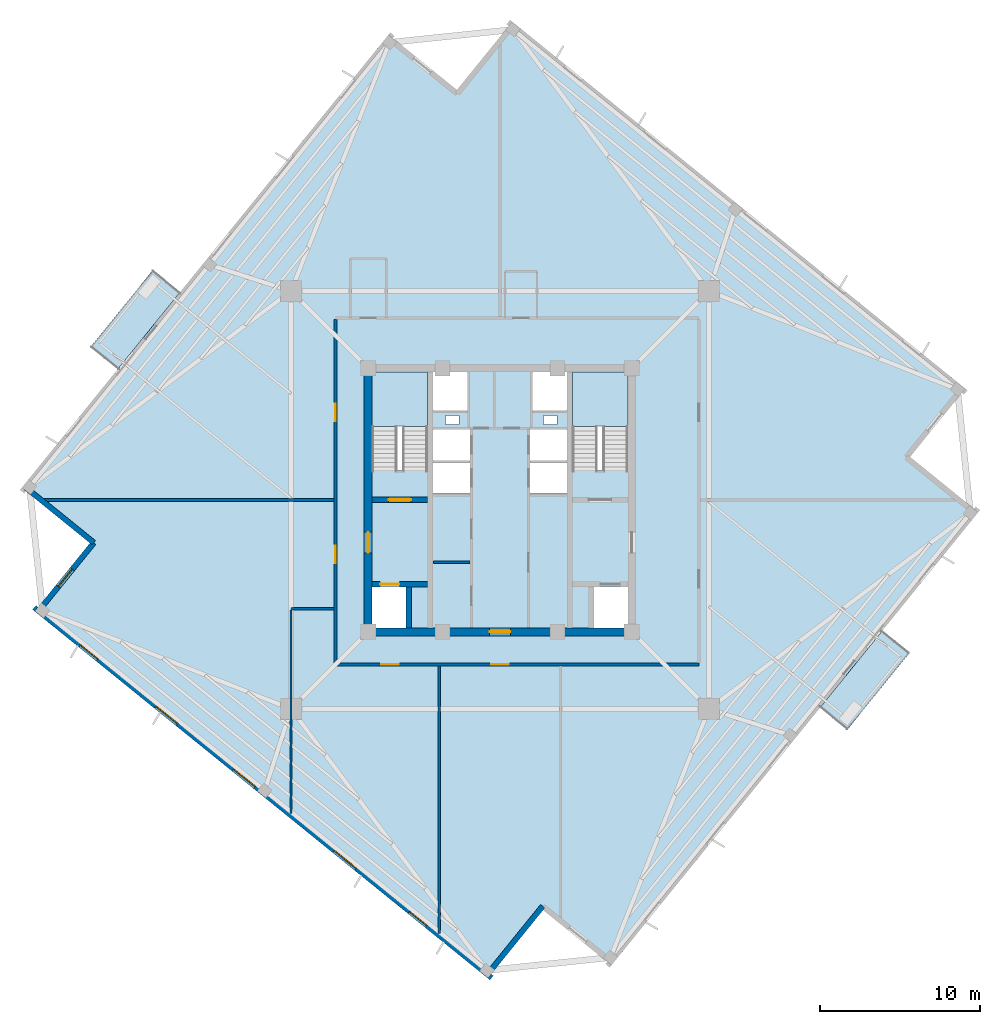
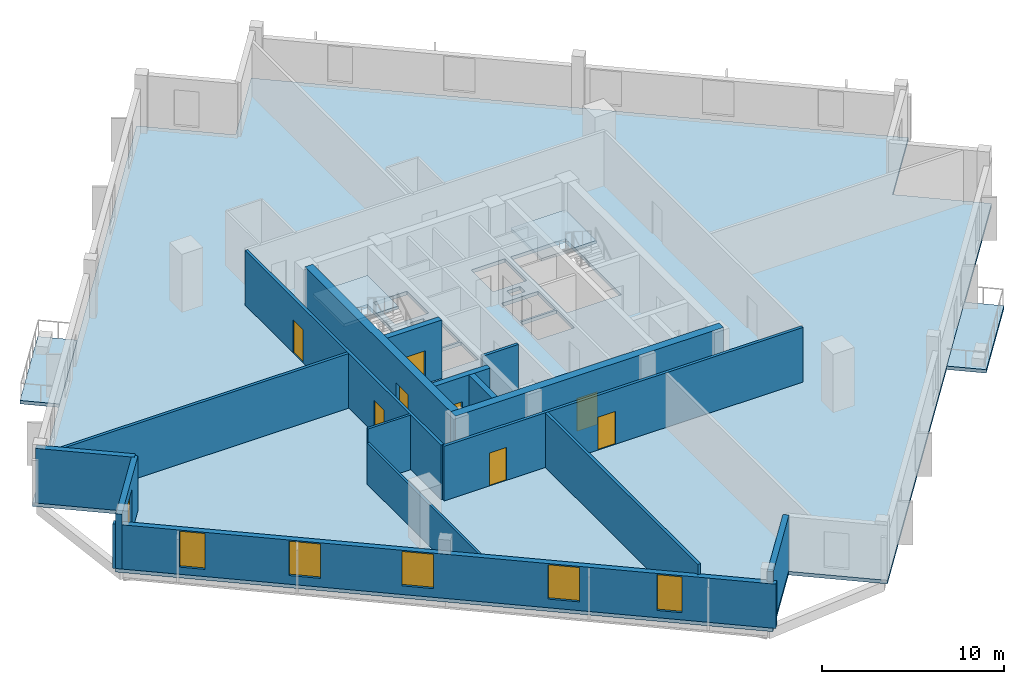
# One storey, part 2 of 9: 16 walls, 8 doors, 6 windows, 5 slabs, 14 openings, 2 elements without a shape of their own.
"""IFC4 building model written with IfcOpenShell, lengths in metres."""

from ifc_helpers import new_model, si_unit, direction, frame, frame_2d, origin, place, context, subcontext, project, spatial, polyline, rectangle, outline, extrude, source, transform, mapped, material, layer, layer_set, type_object, element, fill, aggregate, save


model = new_model("IFC4")

# Units and contexts
model_context = context("Model", 3, precision=1e-05, world=origin(), true_north=direction((0.0, 1.0)))
body_context = subcontext(model_context, "Body", "Model", "MODEL_VIEW")
ifc_project = project(units=[si_unit("LENGTHUNIT", "METRE"), si_unit("AREAUNIT", "SQUARE_METRE"), si_unit("VOLUMEUNIT", "CUBIC_METRE"), si_unit("PLANEANGLEUNIT", "RADIAN"), si_unit("MASSUNIT", "GRAM", prefix="KILO"), si_unit("THERMODYNAMICTEMPERATUREUNIT", "KELVIN")], contexts=[model_context])

# Site, building, storey
site_placement = place(None, origin())
site = spatial("IfcSite", under=ifc_project, at=site_placement, CompositionType="ELEMENT")
building_placement = place(site_placement, origin())
building = spatial("IfcBuilding", under=site, at=building_placement, Name="Kosmvard Interchange Tower", CompositionType="ELEMENT")
storey_placement = place(building_placement, frame((0.0, 0.0, 244.60009765625)))
storey = spatial("IfcBuildingStorey", under=building, at=storey_placement, Name="L59", CompositionType="ELEMENT", Elevation=244.60009765625)

# Slab
ifc_material_1 = material(Name="Concrete C50/60", Category="concrete")
ifc_layer_1 = layer(ifc_material_1, 0.239990234375, Name="Concrete C50/60")
ifc_layer_set_1 = layer_set([ifc_layer_1], Name="Concrete C50/60")
slab_type_1 = type_object("IfcSlabType", Name="High-Rise Suite Composite Slab 240 C50/60", PredefinedType="FLOOR", material=ifc_layer_set_1)
slab_1_placement = place(storey_placement, frame((0.0, 0.0, -0.239990234375)))
element("IfcSlab", 1, at=slab_1_placement, inside=storey, type_object=slab_type_1, Name="L59 Structural Floor Slab", PredefinedType="FLOOR", context=body_context, shape_type="SweptSolid", body=[
    extrude(outline(polyline([(6.97216796875, -29.12939453125), (29.9423828125, -0.763427734375), (25.66796875, 2.69775390625), (29.12939453125, 6.97216796875), (0.763427734375, 29.9423828125), (-2.69775390625, 25.66796875), (-6.97216796875, 29.12939453125), (-29.9423828125, 0.763427734375), (-25.66796875, -2.69775390625), (-29.12939453125, -6.97216796875), (-0.763427734375, -29.9423828125), (2.69775390625, -25.66796875), (6.97216796875, -29.12939453125)]), holes=[polyline([(-8.0, 1.8349609375), (-4.5400390625, 1.8349609375), (-4.5400390625, 8.0), (-8.0, 8.0), (-8.0, 1.8349609375)]), polyline([(4.5400390625, 1.8349609375), (8.0, 1.8349609375), (8.0, 8.0), (4.5400390625, 8.0), (4.5400390625, 1.8349609375)]), polyline([(-8.0, -8.0), (-5.800048828125, -8.0), (-5.800048828125, -5.39990234375), (-8.0, -5.39990234375), (-8.0, -8.0)]), polyline([(5.800048828125, -8.0), (8.0, -8.0), (8.0, -5.39990234375), (5.800048828125, -5.39990234375), (5.800048828125, -8.0)]), polyline([(-4.179931640625, 0.39990234375), (-1.8798828125, 0.39990234375), (-1.8798828125, 2.340087890625), (-4.179931640625, 2.340087890625), (-4.179931640625, 0.39990234375)]), polyline([(-4.179931640625, 2.4599609375), (-1.8798828125, 2.4599609375), (-1.8798828125, 4.39990234375), (-4.179931640625, 4.39990234375), (-4.179931640625, 2.4599609375)]), polyline([(1.8798828125, 0.39990234375), (4.179931640625, 0.39990234375), (4.179931640625, 2.340087890625), (1.8798828125, 2.340087890625), (1.8798828125, 0.39990234375)]), polyline([(1.8798828125, 2.4599609375), (4.179931640625, 2.4599609375), (4.179931640625, 4.39990234375), (1.8798828125, 4.39990234375), (1.8798828125, 2.4599609375)]), polyline([(-4.179931640625, 5.60009765625), (-2.0400390625, 5.60009765625), (-2.0400390625, 8.0), (-4.179931640625, 8.0), (-4.179931640625, 5.60009765625)]), polyline([(2.0400390625, 5.60009765625), (4.179931640625, 5.60009765625), (4.179931640625, 8.0), (2.0400390625, 8.0), (2.0400390625, 5.60009765625)]), polyline([(-3.4150390625, 4.739990234375), (-2.56494140625, 4.739990234375), (-2.56494140625, 5.2900390625), (-3.4150390625, 5.2900390625), (-3.4150390625, 4.739990234375)]), polyline([(2.715087890625, 4.739990234375), (3.56494140625, 4.739990234375), (3.56494140625, 5.2900390625), (2.715087890625, 5.2900390625), (2.715087890625, 4.739990234375)])]), origin(), (0.0, 0.0, 1.0), 0.239990234375),
])

# Stair, slab
stair_type = type_object("IfcStairType", Name="Dog-Leg Core Exit Stair H3900 C50/60", PredefinedType="HALF_TURN_STAIR", material=ifc_material_1)
stair_1_placement = place(storey_placement, origin())
stair_1 = element("IfcStair", 2, at=stair_1_placement, inside=storey, type_object=stair_type, Name="L59 Protected Exit Stair ST-1", PredefinedType="HALF_TURN_STAIR")
ifc_layer_2 = layer(ifc_material_1, 0.199951171875, Name="Concrete C50/60")
ifc_layer_set_2 = layer_set([ifc_layer_2], Name="Concrete C50/60")
slab_type_2 = type_object("IfcSlabType", Name="Stair Half-Landing Slab 200 C50/60", PredefinedType="LANDING", material=ifc_layer_set_2)
slab_2_placement = place(storey_placement, frame((0.0, 0.0, 1.75)))
slab_2 = element("IfcSlab", 3, at=slab_2_placement, type_object=slab_type_2, Name="ST-1 landing 1", PredefinedType="LANDING", context=body_context, shape_type="SweptSolid", body=[
    extrude(outline(polyline([(-4.5400390625, 4.60009765625), (-4.5400390625, 8.0), (-8.0, 8.0), (-8.0, 4.60009765625), (-4.5400390625, 4.60009765625)])), origin(), (0.0, 0.0, 1.0), 0.199951171875),
])
aggregate(stair_1, [slab_2])

stair_2_placement = place(storey_placement, origin())
stair_2 = element("IfcStair", 4, at=stair_2_placement, inside=storey, type_object=stair_type, Name="L59 Protected Exit Stair ST-2", PredefinedType="HALF_TURN_STAIR")
slab_3_placement = place(storey_placement, frame((0.0, 0.0, 1.75)))
slab_3 = element("IfcSlab", 5, at=slab_3_placement, type_object=slab_type_2, Name="ST-2 landing 1", PredefinedType="LANDING", context=body_context, shape_type="SweptSolid", body=[
    extrude(outline(polyline([(8.0, 4.60009765625), (8.0, 8.0), (4.5400390625, 8.0), (4.5400390625, 4.60009765625), (8.0, 4.60009765625)])), origin(), (0.0, 0.0, 1.0), 0.199951171875),
])
aggregate(stair_2, [slab_3])

# Slabs
ifc_layer_3 = layer(ifc_material_1, 0.22998046875, Name="Concrete C50/60")
ifc_layer_set_3 = layer_set([ifc_layer_3], Name="Concrete C50/60")
slab_type_3 = type_object("IfcSlabType", Name="Tree-Planter Cantilever Balcony Slab 230 C50/60", PredefinedType="FLOOR", material=ifc_layer_set_3)
slab_4_placement = place(storey_placement, frame((0.0, 0.0, -0.22998046875)))
element("IfcSlab", 6, at=slab_4_placement, inside=storey, type_object=slab_type_3, Name="L59 Outdoor Terrace Balcony Slab BAL-L59-NE", PredefinedType="FLOOR", context=body_context, shape_type="SweptSolid", body=[
    extrude(outline(polyline([(-23.932373046875, 8.185302734375), (-20.030517578125, 13.00341796875), (-21.740234375, 14.387939453125), (-25.64208984375, 9.569580078125), (-23.932373046875, 8.185302734375)])), origin(), (0.0, 0.0, 1.0), 0.22998046875),
])
slab_5_placement = place(storey_placement, frame((0.0, 0.0, -0.22998046875)))
element("IfcSlab", 7, at=slab_5_placement, inside=storey, type_object=slab_type_3, Name="L59 Outdoor Terrace Balcony Slab BAL-L59-SW", PredefinedType="FLOOR", context=body_context, shape_type="SweptSolid", body=[
    extrude(outline(polyline([(21.740234375, -14.387939453125), (25.64208984375, -9.569580078125), (23.932373046875, -8.185302734375), (20.030517578125, -13.00341796875), (21.740234375, -14.387939453125)])), origin(), (0.0, 0.0, 1.0), 0.22998046875),
])

# Walls
ifc_material_2 = material(Name="Acoustic gypsum partition system")
ifc_layer_4 = layer(ifc_material_2, 0.14990234375, Name="Acoustic gypsum partition system")
ifc_layer_set_4 = layer_set([ifc_layer_4], Name="Acoustic gypsum partition system")
wall_type_1 = type_object("IfcWallType", Name="Acoustic Suite & Meeting Partition 150", PredefinedType="PARTITIONING", material=ifc_layer_set_4)
wall_1_placement = place(storey_placement, frame((-10.39501953125, -6.800048828125, 0.0), z_axis=(0.0, 0.0, 1.0), x_axis=(-1.0, 0.0, 0.0)))
element("IfcWall", 8, at=wall_1_placement, inside=storey, type_object=wall_type_1, Name="L59 Room Partition 06.1", PredefinedType="PARTITIONING", context=body_context, shape_type="SweptSolid", body=[
    extrude(rectangle(XDim=2.68603515625, YDim=0.14990234375, at=frame_2d((1.343017578125, 0.0))), origin(), (0.0, 0.0, 1.0), 3.659912109375),
])
wall_2_placement = place(storey_placement, frame((-13.0810546875, -6.875, 0.0), z_axis=(0.0, 0.0, 1.0), x_axis=(0.0, -1.0, 0.0)))
element("IfcWall", 9, at=wall_2_placement, inside=storey, type_object=wall_type_1, Name="L59 Room Partition 07.1", PredefinedType="PARTITIONING", context=body_context, shape_type="SweptSolid", body=[
    extrude(rectangle(XDim=12.739013671875, YDim=0.14990234375, at=frame_2d((6.36962890625, 0.0))), origin(), (0.0, 0.0, 1.0), 2.760009765625),
])

# Wall, openings, doors
ifc_material_3 = material(Name="Fire-rated gypsum partition system")
ifc_layer_5 = layer(ifc_material_3, 0.179931640625, Name="Fire-rated gypsum partition system")
ifc_layer_set_5 = layer_set([ifc_layer_5], Name="Fire-rated gypsum partition system")
wall_type_2 = type_object("IfcWallType", Name="Corridor & Hotel Compartment Partition 180", PredefinedType="PARTITIONING", material=ifc_layer_set_5)
wall_3_placement = place(storey_placement, frame((-10.300048828125, -10.300048828125, 0.0), z_axis=(0.0, 0.0, 1.0), x_axis=(1.0, 0.0, 0.0)))
wall_3 = element("IfcWall", 10, at=wall_3_placement, inside=storey, type_object=wall_type_2, Name="L59 Corridor Wall CS", PredefinedType="PARTITIONING", context=body_context, shape_type="SweptSolid", body=[
    extrude(rectangle(XDim=22.75, YDim=0.179931640625, at=frame_2d((11.375, 0.0))), origin(), (0.0, 0.0, 1.0), 3.659912109375),
])
opening_1_placement = place(wall_3_placement, frame((9.75, 0.0, 0.0)))
opening_1 = element("IfcOpeningElement", 11, at=opening_1_placement, cuts=wall_3, Name="Opening L59-D06", PredefinedType="OPENING", context=body_context, shape_type="SweptSolid", body=[
    extrude(rectangle(XDim=1.10009765625, YDim=2.199951171875, at=frame_2d((0.550048828125, 1.10009765625))), frame((0.0, 0.10009765625, 0.0), z_axis=(0.0, -1.0, 0.0), x_axis=(1.0, 0.0, 0.0)), (0.0, 0.0, 1.0), 0.199951171875),
])
opening_2_placement = place(wall_3_placement, frame((2.864501953125, 0.0, 0.0)))
opening_2 = element("IfcOpeningElement", 12, at=opening_2_placement, cuts=wall_3, Name="Opening L59-D07", PredefinedType="OPENING", context=body_context, shape_type="SweptSolid", body=[
    extrude(rectangle(XDim=1.10009765625, YDim=2.199951171875, at=frame_2d((0.550048828125, 1.10009765625))), frame((0.0, 0.10009765625, 0.0), z_axis=(0.0, -1.0, 0.0), x_axis=(1.0, 0.0, 0.0)), (0.0, 0.0, 1.0), 0.199951171875),
])
ifc_material_4 = material(Name="Engineered oak fire-rated timber", Category="wood")
door_type_1 = type_object("IfcDoorType", Name="Office Suite Entrance Door 1100x2200 FD30S", OperationType="NOTDEFINED", PredefinedType="DOOR", material=ifc_material_4)
shared_shape_1 = source(origin(), body_context, "Body", "SweptSolid", [
    extrude(rectangle(XDim=1.10009765625, YDim=2.199951171875, at=frame_2d((0.550048828125, 1.10009765625))), frame((0.0, 0.02490234375, 0.0), z_axis=(0.0, -1.0, 0.0), x_axis=(1.0, 0.0, 0.0)), (0.0, 0.0, 1.0), 0.050048828125),
])
door_1_placement = place(opening_1_placement, frame((1.10009765625, 0.0, 0.0), z_axis=(0.0, 0.0, 1.0), x_axis=(-1.0, 0.0, 0.0)))
door_1 = element("IfcDoor", 13, at=door_1_placement, inside=storey, type_object=door_type_1, Name="L59 South-West Principal Office Door", OperationType="SINGLE_SWING_RIGHT", OverallHeight=2.199951171875, OverallWidth=1.10009765625, PredefinedType="DOOR", context=body_context, shape_type="MappedRepresentation", body=[
    mapped(shared_shape_1, transform((0.0, 0.0, 0.0), scale=1.0)),
])
fill(opening_1, door_1)
door_2_placement = place(opening_2_placement, frame((1.10009765625, 0.0, 0.0), z_axis=(0.0, 0.0, 1.0), x_axis=(-1.0, 0.0, 0.0)))
door_2 = element("IfcDoor", 14, at=door_2_placement, inside=storey, type_object=door_type_1, Name="L59 Atelier Catering Pantry Door", OperationType="SINGLE_SWING_LEFT", OverallHeight=2.199951171875, OverallWidth=1.10009765625, PredefinedType="DOOR", context=body_context, shape_type="MappedRepresentation", body=[
    mapped(shared_shape_1, transform((0.0, 0.0, 0.0), scale=1.0)),
])
fill(opening_2, door_2)

wall_4_placement = place(storey_placement, frame((-10.300048828125, -10.199951171875, 0.0), z_axis=(0.0, 0.0, 1.0), x_axis=(0.0, 1.0, 0.0)))
wall_4 = element("IfcWall", 15, at=wall_4_placement, inside=storey, type_object=wall_type_2, Name="L59 Corridor Wall CW", PredefinedType="PARTITIONING", context=body_context, shape_type="SweptSolid", body=[
    extrude(rectangle(XDim=21.5, YDim=0.179931640625, at=frame_2d((10.75, 0.0))), origin(), (0.0, 0.0, 1.0), 3.659912109375),
])
opening_3_placement = place(wall_4_placement, frame((15.135498046875, 0.0, 0.0)))
opening_3 = element("IfcOpeningElement", 16, at=opening_3_placement, cuts=wall_4, Name="Opening L59-D03", PredefinedType="OPENING", context=body_context, shape_type="SweptSolid", body=[
    extrude(rectangle(XDim=1.10009765625, YDim=2.199951171875, at=frame_2d((0.550048828125, 1.10009765625))), frame((0.0, 0.10009765625, 0.0), z_axis=(0.0, -1.0, 0.0), x_axis=(1.0, 0.0, 0.0)), (0.0, 0.0, 1.0), 0.199951171875),
])
opening_4_placement = place(wall_4_placement, frame((6.25, 0.0, 0.0)))
opening_4 = element("IfcOpeningElement", 17, at=opening_4_placement, cuts=wall_4, Name="Opening L59-D08", PredefinedType="OPENING", context=body_context, shape_type="SweptSolid", body=[
    extrude(rectangle(XDim=1.10009765625, YDim=2.199951171875, at=frame_2d((0.550048828125, 1.10009765625))), frame((0.0, 0.10009765625, 0.0), z_axis=(0.0, -1.0, 0.0), x_axis=(1.0, 0.0, 0.0)), (0.0, 0.0, 1.0), 0.199951171875),
])
door_3_placement = place(opening_3_placement, origin())
door_3 = element("IfcDoor", 18, at=door_3_placement, inside=storey, type_object=door_type_1, Name="L59 North-East Sky Atelier Workplace Door", OperationType="SINGLE_SWING_LEFT", OverallHeight=2.199951171875, OverallWidth=1.10009765625, PredefinedType="DOOR", context=body_context, shape_type="MappedRepresentation", body=[
    mapped(shared_shape_1, transform((0.0, 0.0, 0.0), scale=1.0)),
])
fill(opening_3, door_3)
door_4_placement = place(opening_4_placement, origin())
door_4 = element("IfcDoor", 19, at=door_4_placement, inside=storey, type_object=door_type_1, Name="L59 North-West Sky Atelier Workplace Door", OperationType="SINGLE_SWING_RIGHT", OverallHeight=2.199951171875, OverallWidth=1.10009765625, PredefinedType="DOOR", context=body_context, shape_type="MappedRepresentation", body=[
    mapped(shared_shape_1, transform((0.0, 0.0, 0.0), scale=1.0)),
])
fill(opening_4, door_4)

# Walls
wall_5_placement = place(storey_placement, frame((-3.800048828125, -10.39501953125, 0.0), z_axis=(0.0, 0.0, 1.0), x_axis=(0.0, -1.0, 0.0)))
element("IfcWall", 20, at=wall_5_placement, inside=storey, type_object=wall_type_2, Name="L59 Room Partition 04.1", PredefinedType="PARTITIONING", context=body_context, shape_type="SweptSolid", body=[
    extrude(rectangle(XDim=16.734375, YDim=0.179931640625, at=frame_2d((8.3671875, 0.0))), origin(), (0.0, 0.0, 1.0), 3.659912109375),
])
wall_6_placement = place(storey_placement, frame((-10.39501953125, 0.0, 0.0), z_axis=(0.0, 0.0, 1.0), x_axis=(-1.0, 0.0, 0.0)))
element("IfcWall", 21, at=wall_6_placement, inside=storey, type_object=wall_type_2, Name="L59 Room Partition 05.1", PredefinedType="PARTITIONING", context=body_context, shape_type="SweptSolid", body=[
    extrude(rectangle(XDim=18.16748046875, YDim=0.179931640625, at=frame_2d((9.083740234375, 0.0))), origin(), (0.0, 0.0, 1.0), 3.659912109375),
])
ifc_material_5 = material(Name="Precast concrete C45/55", Category="concrete")
ifc_layer_6 = layer(ifc_material_5, 0.340087890625, Name="Precast concrete C45/55")
ifc_layer_set_6 = layer_set([ifc_layer_6], Name="Precast concrete C45/55")
wall_type_3 = type_object("IfcWallType", Name="Mid Tower Precast Pier Wall 340 C45/55", PredefinedType="STANDARD", material=ifc_layer_set_6)
wall_7_placement = place(storey_placement, frame((-29.703125, 0.78857421875, 0.0), z_axis=(0.0, 0.0, 1.0), x_axis=(0.77714355312, -0.629323365087, 0.0)))
element("IfcWall", 22, at=wall_7_placement, inside=storey, type_object=wall_type_3, Name="L59 Precast Facade Wall N-NW1", PredefinedType="STANDARD", context=body_context, shape_type="SweptSolid", body=[
    extrude(rectangle(XDim=5.499755859375, YDim=0.340087890625, at=frame_2d((2.75, 0.0))), origin(), (0.0, 0.0, 1.0), 3.659912109375),
])

# Wall, opening, window
wall_8_placement = place(storey_placement, frame((-25.428955078125, -2.672607421875, 0.0), z_axis=(0.0, 0.0, 1.0), x_axis=(-0.629299794138, -0.777162640055, 0.0)))
wall_8 = element("IfcWall", 23, at=wall_8_placement, inside=storey, type_object=wall_type_3, Name="L59 Precast Facade Wall N-NW2", PredefinedType="STANDARD", context=body_context, shape_type="SweptSolid", body=[
    extrude(rectangle(XDim=5.669921875, YDim=0.340087890625, at=frame_2d((2.8349609375, 0.0))), origin(), (0.0, 0.0, 1.0), 3.659912109375),
])
opening_5_placement = place(wall_8_placement, frame((2.135009765625, 0.0, 0.47998046875)))
opening_5 = element("IfcOpeningElement", 24, at=opening_5_placement, cuts=wall_8, Name="Opening L59-W23", PredefinedType="OPENING", context=body_context, shape_type="SweptSolid", body=[
    extrude(rectangle(XDim=1.39990234375, YDim=2.39990234375, at=frame_2d((0.699951171875, 1.199951171875))), frame((0.0, 0.18017578125, 0.0), z_axis=(0.0, -1.0, 0.0), x_axis=(1.0, 0.0, 0.0)), (0.0, 0.0, 1.0), 0.360107421875),
])
ifc_material_6 = material(Name="Low-E solar-control double glazing", Category="glass")
window_type_1 = type_object("IfcWindowType", Name="Notched Corner Feature Window 1400x2400", PartitioningType="SINGLE_PANEL", PredefinedType="WINDOW", material=ifc_material_6)
shared_shape_2 = source(origin(), body_context, "Body", "SweptSolid", [
    extrude(rectangle(XDim=1.39990234375, YDim=2.39990234375, at=frame_2d((0.699951171875, 1.199951171875))), frame((0.0, 0.030029296875, 0.0), z_axis=(0.0, -1.0, 0.0), x_axis=(1.0, 0.0, 0.0)), (0.0, 0.0, 1.0), 0.06005859375),
])
window_1_placement = place(opening_5_placement, origin())
window_1 = element("IfcWindow", 25, at=window_1_placement, inside=storey, type_object=window_type_1, Name="L59 Corner Notch Window 23", OverallHeight=2.39990234375, OverallWidth=1.39990234375, PartitioningType="SINGLE_PANEL", PredefinedType="WINDOW", context=body_context, shape_type="MappedRepresentation", body=[
    mapped(shared_shape_2, transform((0.0, 0.0, 0.0), scale=1.0)),
])
fill(opening_5, window_1)

# Wall, openings, windows
wall_9_placement = place(storey_placement, frame((-29.154296875, -6.73291015625, 0.0), z_axis=(0.0, 0.0, 1.0), x_axis=(0.77714192302, -0.629325378072, 0.0)))
wall_9 = element("IfcWall", 26, at=wall_9_placement, inside=storey, type_object=wall_type_3, Name="L59 Precast Facade Wall F-W", PredefinedType="STANDARD", context=body_context, shape_type="SweptSolid", body=[
    extrude(rectangle(XDim=36.840087890625, YDim=0.340087890625, at=frame_2d((18.419921875, 0.0))), origin(), (0.0, 0.0, 1.0), 2.9599609375),
])
opening_6_placement = place(wall_9_placement, frame((3.720703125, 0.0, 0.47998046875)))
opening_6 = element("IfcOpeningElement", 27, at=opening_6_placement, cuts=wall_9, Name="Opening L59-W16", PredefinedType="OPENING", context=body_context, shape_type="SweptSolid", body=[
    extrude(rectangle(XDim=1.39990234375, YDim=2.39990234375, at=frame_2d((0.699951171875, 1.199951171875))), frame((0.0, 0.18017578125, 0.0), z_axis=(0.0, -1.0, 0.0), x_axis=(1.0, 0.0, 0.0)), (0.0, 0.0, 1.0), 0.360107421875),
])
opening_7_placement = place(wall_9_placement, frame((9.80859375, 0.0, 0.580078125)))
opening_7 = element("IfcOpeningElement", 28, at=opening_7_placement, cuts=wall_9, Name="Opening L59-W17", PredefinedType="OPENING", context=body_context, shape_type="SweptSolid", body=[
    extrude(rectangle(XDim=1.75, YDim=2.300048828125, at=frame_2d((0.875, 1.14990234375))), frame((0.0, 0.18017578125, 0.0), z_axis=(0.0, -1.0, 0.0), x_axis=(1.0, 0.0, 0.0)), (0.0, 0.0, 1.0), 0.360107421875),
])
opening_8_placement = place(wall_9_placement, frame((16.05810546875, 0.0, 0.580078125)))
opening_8 = element("IfcOpeningElement", 29, at=opening_8_placement, cuts=wall_9, Name="Opening L59-W18", PredefinedType="OPENING", context=body_context, shape_type="SweptSolid", body=[
    extrude(rectangle(XDim=1.75, YDim=2.300048828125, at=frame_2d((0.875, 1.14990234375))), frame((0.0, 0.18017578125, 0.0), z_axis=(0.0, -1.0, 0.0), x_axis=(1.0, 0.0, 0.0)), (0.0, 0.0, 1.0), 0.360107421875),
])
opening_9_placement = place(wall_9_placement, frame((24.17626953125, 0.0, 0.580078125)))
opening_9 = element("IfcOpeningElement", 30, at=opening_9_placement, cuts=wall_9, Name="Opening L59-W19", PredefinedType="OPENING", context=body_context, shape_type="SweptSolid", body=[
    extrude(rectangle(XDim=1.75, YDim=2.300048828125, at=frame_2d((0.875, 1.14990234375))), frame((0.0, 0.18017578125, 0.0), z_axis=(0.0, -1.0, 0.0), x_axis=(1.0, 0.0, 0.0)), (0.0, 0.0, 1.0), 0.360107421875),
])
opening_10_placement = place(wall_9_placement, frame((30.232421875, 0.0, 0.47998046875)))
opening_10 = element("IfcOpeningElement", 31, at=opening_10_placement, cuts=wall_9, Name="Opening L59-W20", PredefinedType="OPENING", context=body_context, shape_type="SweptSolid", body=[
    extrude(rectangle(XDim=1.39990234375, YDim=2.39990234375, at=frame_2d((0.699951171875, 1.199951171875))), frame((0.0, 0.18017578125, 0.0), z_axis=(0.0, -1.0, 0.0), x_axis=(1.0, 0.0, 0.0)), (0.0, 0.0, 1.0), 0.360107421875),
])
window_2_placement = place(opening_6_placement, origin())
window_2 = element("IfcWindow", 32, at=window_2_placement, inside=storey, type_object=window_type_1, Name="L59 Facade Punched Window 16", OverallHeight=2.39990234375, OverallWidth=1.39990234375, PartitioningType="SINGLE_PANEL", PredefinedType="WINDOW", context=body_context, shape_type="MappedRepresentation", body=[
    mapped(shared_shape_2, transform((0.0, 0.0, 0.0), scale=1.0)),
])
fill(opening_6, window_2)
window_3_placement = place(opening_10_placement, origin())
window_3 = element("IfcWindow", 33, at=window_3_placement, inside=storey, type_object=window_type_1, Name="L59 Facade Punched Window 20", OverallHeight=2.39990234375, OverallWidth=1.39990234375, PartitioningType="SINGLE_PANEL", PredefinedType="WINDOW", context=body_context, shape_type="MappedRepresentation", body=[
    mapped(shared_shape_2, transform((0.0, 0.0, 0.0), scale=1.0)),
])
fill(opening_10, window_3)
window_type_2 = type_object("IfcWindowType", Name="Zone 4 Suite Punched Window 1750x2300", PartitioningType="SINGLE_PANEL", PredefinedType="WINDOW", material=ifc_material_6)
shared_shape_3 = source(origin(), body_context, "Body", "SweptSolid", [
    extrude(rectangle(XDim=1.75, YDim=2.300048828125, at=frame_2d((0.875, 1.14990234375))), frame((0.0, 0.030029296875, 0.0), z_axis=(0.0, -1.0, 0.0), x_axis=(1.0, 0.0, 0.0)), (0.0, 0.0, 1.0), 0.06005859375),
])
window_4_placement = place(opening_7_placement, origin())
window_4 = element("IfcWindow", 34, at=window_4_placement, inside=storey, type_object=window_type_2, Name="L59 Facade Punched Window 17", OverallHeight=2.300048828125, OverallWidth=1.75, PartitioningType="SINGLE_PANEL", PredefinedType="WINDOW", context=body_context, shape_type="MappedRepresentation", body=[
    mapped(shared_shape_3, transform((0.0, 0.0, 0.0), scale=1.0)),
])
fill(opening_7, window_4)
window_5_placement = place(opening_8_placement, origin())
window_5 = element("IfcWindow", 35, at=window_5_placement, inside=storey, type_object=window_type_2, Name="L59 Facade Punched Window 18", OverallHeight=2.300048828125, OverallWidth=1.75, PartitioningType="SINGLE_PANEL", PredefinedType="WINDOW", context=body_context, shape_type="MappedRepresentation", body=[
    mapped(shared_shape_3, transform((0.0, 0.0, 0.0), scale=1.0)),
])
fill(opening_8, window_5)
window_6_placement = place(opening_9_placement, origin())
window_6 = element("IfcWindow", 36, at=window_6_placement, inside=storey, type_object=window_type_2, Name="L59 Facade Punched Window 19", OverallHeight=2.300048828125, OverallWidth=1.75, PartitioningType="SINGLE_PANEL", PredefinedType="WINDOW", context=body_context, shape_type="MappedRepresentation", body=[
    mapped(shared_shape_3, transform((0.0, 0.0, 0.0), scale=1.0)),
])
fill(opening_9, window_6)

# Walls
wall_10_placement = place(storey_placement, frame((-0.78857421875, -29.703125, 0.0), z_axis=(0.0, 0.0, 1.0), x_axis=(0.629323365087, 0.77714355312, 0.0)))
element("IfcWall", 37, at=wall_10_placement, inside=storey, type_object=wall_type_3, Name="L59 Precast Facade Wall N-SW1", PredefinedType="STANDARD", context=body_context, shape_type="SweptSolid", body=[
    extrude(rectangle(XDim=5.499755859375, YDim=0.340087890625, at=frame_2d((2.75, 0.0))), origin(), (0.0, 0.0, 1.0), 3.659912109375),
])
ifc_material_7 = material(Name="Concrete blockwork masonry", Category="masonry")
ifc_layer_7 = layer(ifc_material_7, 0.179931640625, Name="Concrete blockwork masonry")
ifc_layer_set_7 = layer_set([ifc_layer_7], Name="Concrete blockwork masonry")
wall_type_4 = type_object("IfcWallType", Name="Riser & Lift Bank Divider Wall 180", PredefinedType="PARTITIONING", material=ifc_layer_set_7)
wall_11_placement = place(storey_placement, frame((-4.169921875, -3.89990234375, 0.0), z_axis=(0.0, 0.0, 1.0), x_axis=(1.0, 0.0, 0.0)))
element("IfcWall", 38, at=wall_11_placement, inside=storey, type_object=wall_type_4, Name="L59 West Bank Divider BD1", PredefinedType="PARTITIONING", context=body_context, shape_type="SweptSolid", body=[
    extrude(rectangle(XDim=2.280029296875, YDim=0.179931640625, at=frame_2d((1.14013671875, 0.0))), origin(), (0.0, 0.0, 1.0), 3.659912109375),
])

# Wall, opening, door
ifc_material_8 = material(Name="Concrete C60/75", Category="concrete")
ifc_layer_8 = layer(ifc_material_8, 0.360107421875, Name="Concrete C60/75")
ifc_layer_set_8 = layer_set([ifc_layer_8], Name="Concrete C60/75")
wall_type_5 = type_object("IfcWallType", Name="Stair & Lift Shaft Shear Wall 360 C60/75", PredefinedType="SHEAR", material=ifc_layer_set_8)
wall_12_placement = place(storey_placement, frame((-8.0, 0.02001953125, 0.0), z_axis=(0.0, 0.0, 1.0), x_axis=(1.0, 0.0, 0.0)))
wall_12 = element("IfcWall", 39, at=wall_12_placement, inside=storey, type_object=wall_type_5, Name="L59 Shaft Shear Wall SW-ST1", PredefinedType="SHEAR", context=body_context, shape_type="SweptSolid", body=[
    extrude(rectangle(XDim=3.4599609375, YDim=0.360107421875, at=frame_2d((1.72998046875, 0.0))), origin(), (0.0, 0.0, 1.0), 3.89990234375),
])
opening_11_placement = place(wall_12_placement, frame((1.030029296875, 0.0, 0.0)))
opening_11 = element("IfcOpeningElement", 40, at=opening_11_placement, cuts=wall_12, Name="Opening L59-SD1", PredefinedType="OPENING", context=body_context, shape_type="SweptSolid", body=[
    extrude(rectangle(XDim=1.39990234375, YDim=2.199951171875, at=frame_2d((0.699951171875, 1.10009765625))), frame((0.0, 0.18994140625, 0.0), z_axis=(0.0, -1.0, 0.0), x_axis=(1.0, 0.0, 0.0)), (0.0, 0.0, 1.0), 0.380126953125),
])
ifc_material_9 = material(Name="Painted fire-rated steel leaf", Category="steel")
door_type_2 = type_object("IfcDoorType", Name="Protected Stair Door 1400x2200 FD60S", OperationType="NOTDEFINED", PredefinedType="DOOR", material=ifc_material_9)
shared_shape_4 = source(origin(), body_context, "Body", "SweptSolid", [
    extrude(rectangle(XDim=1.39990234375, YDim=2.199951171875, at=frame_2d((0.699951171875, 1.10009765625))), frame((0.0, 0.02490234375, 0.0), z_axis=(0.0, -1.0, 0.0), x_axis=(1.0, 0.0, 0.0)), (0.0, 0.0, 1.0), 0.050048828125),
])
door_5_placement = place(opening_11_placement, origin())
door_5 = element("IfcDoor", 41, at=door_5_placement, inside=storey, type_object=door_type_2, Name="L59 Stair ST-1 Enclosure Door", OperationType="SINGLE_SWING_LEFT", OverallHeight=2.199951171875, OverallWidth=1.39990234375, PredefinedType="DOOR", context=body_context, shape_type="MappedRepresentation", body=[
    mapped(shared_shape_4, transform((0.0, 0.0, 0.0), scale=1.0)),
])
fill(opening_11, door_5)

wall_13_placement = place(storey_placement, frame((-8.0, -5.280029296875, 0.0), z_axis=(0.0, 0.0, 1.0), x_axis=(1.0, 0.0, 0.0)))
wall_13 = element("IfcWall", 42, at=wall_13_placement, inside=storey, type_object=wall_type_5, Name="L59 Shaft Shear Wall SW-FF1", PredefinedType="SHEAR", context=body_context, shape_type="SweptSolid", body=[
    extrude(rectangle(XDim=3.4599609375, YDim=0.360107421875, at=frame_2d((1.72998046875, 0.0))), origin(), (0.0, 0.0, 1.0), 3.89990234375),
])
opening_12_placement = place(wall_13_placement, frame((0.5, 0.0, 0.0)))
opening_12 = element("IfcOpeningElement", 43, at=opening_12_placement, cuts=wall_13, Name="Opening LD-FF-1-L59", PredefinedType="OPENING", context=body_context, shape_type="SweptSolid", body=[
    extrude(rectangle(XDim=1.199951171875, YDim=2.25, at=frame_2d((0.60009765625, 1.125))), frame((0.0, 0.18994140625, 0.0), z_axis=(0.0, -1.0, 0.0), x_axis=(1.0, 0.0, 0.0)), (0.0, 0.0, 1.0), 0.380126953125),
])
ifc_material_10 = material(Name="Brushed stainless steel sliding leaf", Category="steel")
door_type_3 = type_object("IfcDoorType", Name="Firefighting Lift Sliding Landing Door 1200x2250 EI120", OperationType="DOUBLE_DOOR_SLIDING", PredefinedType="DOOR", material=ifc_material_10)
shared_shape_5 = source(origin(), body_context, "Body", "SweptSolid", [
    extrude(rectangle(XDim=1.199951171875, YDim=2.25, at=frame_2d((0.60009765625, 1.125))), frame((0.0, 0.02490234375, 0.0), z_axis=(0.0, -1.0, 0.0), x_axis=(1.0, 0.0, 0.0)), (0.0, 0.0, 1.0), 0.050048828125),
])
door_6_placement = place(opening_12_placement, origin())
door_6 = element("IfcDoor", 44, at=door_6_placement, inside=storey, type_object=door_type_3, Name="Lift FF-1 Landing Door L59", OperationType="DOUBLE_DOOR_SLIDING", OverallHeight=2.25, OverallWidth=1.199951171875, PredefinedType="DOOR", context=body_context, shape_type="MappedRepresentation", body=[
    mapped(shared_shape_5, transform((0.0, 0.0, 0.0), scale=1.0)),
])
fill(opening_12, door_6)

# Wall
wall_14_placement = place(storey_placement, frame((-5.7099609375, -8.0, 0.0), z_axis=(0.0, 0.0, 1.0), x_axis=(0.0, 1.0, 0.0)))
element("IfcWall", 45, at=wall_14_placement, inside=storey, type_object=wall_type_5, Name="L59 Shaft Shear Wall SW-SM1", PredefinedType="SHEAR", context=body_context, shape_type="SweptSolid", body=[
    extrude(rectangle(XDim=2.5400390625, YDim=0.360107421875, at=frame_2d((1.27001953125, 0.0))), origin(), (0.0, 0.0, 1.0), 3.89990234375),
])

# Wall, opening, door
ifc_layer_9 = layer(ifc_material_8, 0.5, Name="Concrete C60/75")
ifc_layer_set_9 = layer_set([ifc_layer_9], Name="Concrete C60/75")
wall_type_6 = type_object("IfcWallType", Name="Upper Core Shear Wall 500 C60/75", PredefinedType="SHEAR", material=ifc_layer_set_9)
wall_15_placement = place(storey_placement, frame((-8.5, -8.25, 0.0), z_axis=(0.0, 0.0, 1.0), x_axis=(1.0, 0.0, 0.0)))
wall_15 = element("IfcWall", 46, at=wall_15_placement, inside=storey, type_object=wall_type_6, Name="L59 Core Shear Wall CW-S", PredefinedType="SHEAR", context=body_context, shape_type="SweptSolid", body=[
    extrude(rectangle(XDim=17.0, YDim=0.5, at=frame_2d((8.5, 0.0))), origin(), (0.0, 0.0, 1.0), 3.89990234375),
])
opening_13_placement = place(wall_15_placement, frame((7.85009765625, 0.0, 0.0)))
opening_13 = element("IfcOpeningElement", 47, at=opening_13_placement, cuts=wall_15, Name="Opening L59-LD0", PredefinedType="OPENING", context=body_context, shape_type="SweptSolid", body=[
    extrude(rectangle(XDim=1.300048828125, YDim=2.199951171875, at=frame_2d((0.64990234375, 1.10009765625))), frame((0.0, 0.260009765625, 0.0), z_axis=(0.0, -1.0, 0.0), x_axis=(1.0, 0.0, 0.0)), (0.0, 0.0, 1.0), 0.52001953125),
])
door_type_4 = type_object("IfcDoorType", Name="Firefighting Lobby Door 1300x2200 EI60", OperationType="NOTDEFINED", PredefinedType="DOOR", material=ifc_material_9)
shared_shape_6 = source(origin(), body_context, "Body", "SweptSolid", [
    extrude(rectangle(XDim=1.300048828125, YDim=2.199951171875, at=frame_2d((0.64990234375, 1.10009765625))), frame((0.0, 0.02490234375, 0.0), z_axis=(0.0, -1.0, 0.0), x_axis=(1.0, 0.0, 0.0)), (0.0, 0.0, 1.0), 0.050048828125),
])
door_7_placement = place(opening_13_placement, frame((1.300048828125, 0.0, 0.0), z_axis=(0.0, 0.0, 1.0), x_axis=(-1.0, 0.0, 0.0)))
door_7 = element("IfcDoor", 48, at=door_7_placement, inside=storey, type_object=door_type_4, Name="L59 Passenger Lift Lobby South Door", OperationType="SINGLE_SWING_LEFT", OverallHeight=2.199951171875, OverallWidth=1.300048828125, PredefinedType="DOOR", context=body_context, shape_type="MappedRepresentation", body=[
    mapped(shared_shape_6, transform((0.0, 0.0, 0.0), scale=1.0)),
])
fill(opening_13, door_7)

wall_16_placement = place(storey_placement, frame((-8.25, -8.0, 0.0), z_axis=(0.0, 0.0, 1.0), x_axis=(0.0, 1.0, 0.0)))
wall_16 = element("IfcWall", 49, at=wall_16_placement, inside=storey, type_object=wall_type_6, Name="L59 Core Shear Wall CW-W", PredefinedType="SHEAR", context=body_context, shape_type="SweptSolid", body=[
    extrude(rectangle(XDim=16.0, YDim=0.5, at=frame_2d((8.0, 0.0))), origin(), (0.0, 0.0, 1.0), 3.89990234375),
])
opening_14_placement = place(wall_16_placement, frame((4.68994140625, 0.0, 0.0)))
opening_14 = element("IfcOpeningElement", 50, at=opening_14_placement, cuts=wall_16, Name="Opening L59-FD1", PredefinedType="OPENING", context=body_context, shape_type="SweptSolid", body=[
    extrude(rectangle(XDim=1.300048828125, YDim=2.199951171875, at=frame_2d((0.64990234375, 1.10009765625))), frame((0.0, 0.260009765625, 0.0), z_axis=(0.0, -1.0, 0.0), x_axis=(1.0, 0.0, 0.0)), (0.0, 0.0, 1.0), 0.52001953125),
])
door_8_placement = place(opening_14_placement, frame((1.300048828125, 0.0, 0.0), z_axis=(0.0, 0.0, 1.0), x_axis=(-1.0, 0.0, 0.0)))
door_8 = element("IfcDoor", 51, at=door_8_placement, inside=storey, type_object=door_type_4, Name="L59 Firefighting Lobby West Door", OperationType="SINGLE_SWING_LEFT", OverallHeight=2.199951171875, OverallWidth=1.300048828125, PredefinedType="DOOR", context=body_context, shape_type="MappedRepresentation", body=[
    mapped(shared_shape_6, transform((0.0, 0.0, 0.0), scale=1.0)),
])
fill(opening_14, door_8)

save(model, "model.ifc")
